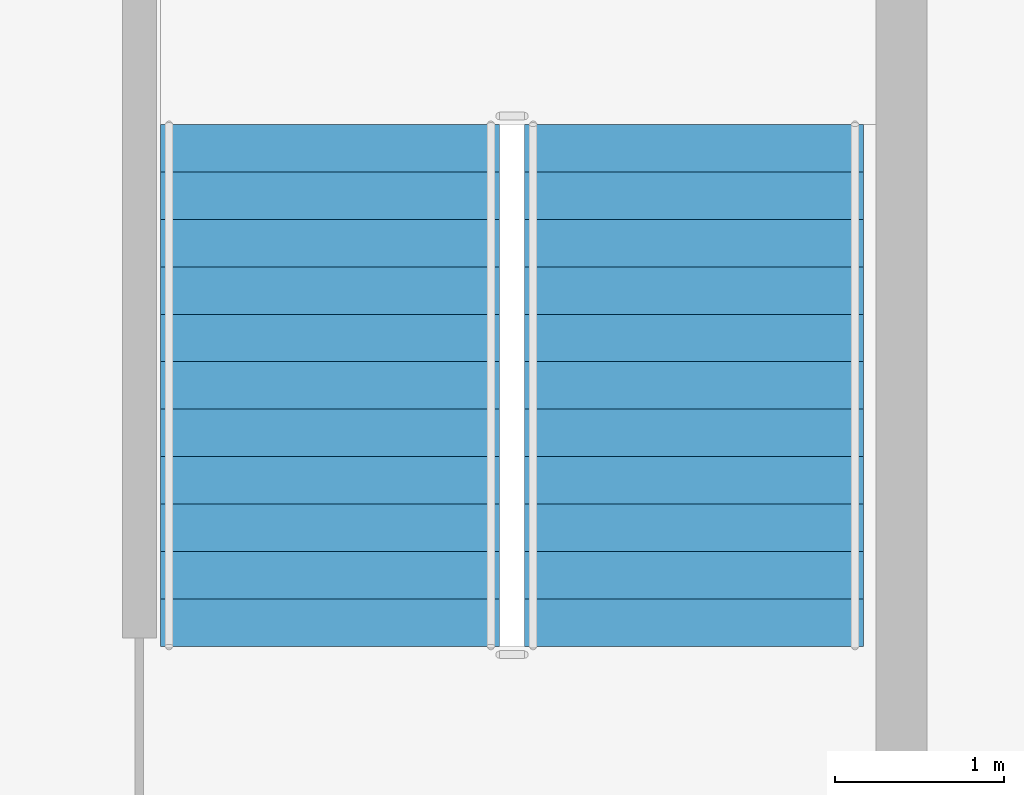
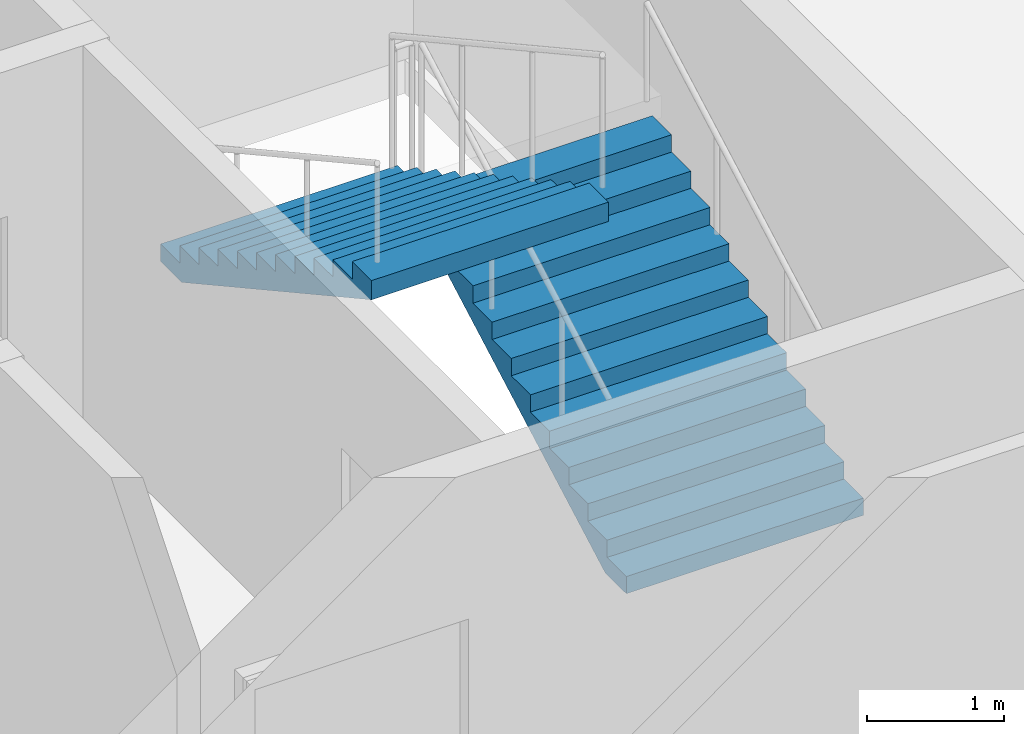
# One storey, part 8 of 15: 2 stair flights, 1 element without a shape of its own.
"""IFC4 building model written with IfcOpenShell, lengths in metres."""

from ifc_helpers import new_model, si_unit, direction, frame, origin, place, context, subcontext, project, spatial, polygons, material, type_object, element, aggregate, save


model = new_model("IFC4")

# Units and contexts
model_context = context("Model", 3, precision=1e-05, world=origin(), true_north=direction((0.0, 1.0)))
body_context = subcontext(model_context, "Body", "Model", "MODEL_VIEW")
ifc_project = project(units=[si_unit("LENGTHUNIT", "METRE"), si_unit("AREAUNIT", "SQUARE_METRE"), si_unit("VOLUMEUNIT", "CUBIC_METRE"), si_unit("PLANEANGLEUNIT", "RADIAN"), si_unit("MASSUNIT", "GRAM", prefix="KILO")], contexts=[model_context])

# Site, building, storey
site_placement = place(None, origin())
site = spatial("IfcSite", under=ifc_project, at=site_placement, CompositionType="ELEMENT")
building_placement = place(site_placement, origin())
building = spatial("IfcBuilding", under=site, at=building_placement, Name="Caravel Reach Hotel and Residences", CompositionType="ELEMENT")
storey_placement = place(building_placement, frame((0.0, 0.0, 237.89990234375)))
storey = spatial("IfcBuildingStorey", under=building, at=storey_placement, Name="L60", CompositionType="ELEMENT", Elevation=237.89990234375)

# Stair, stair flights
ifc_material_1 = material(Name="Concrete C40", Category="concrete")
stair_type = type_object("IfcStairType", Name="Core stair", PredefinedType="HALF_TURN_STAIR", material=ifc_material_1)
stair_placement = place(storey_placement, origin())
stair = element("IfcStair", 1, at=stair_placement, inside=storey, type_object=stair_type, Name="L60 Exit stair B", PredefinedType="HALF_TURN_STAIR")
ifc_material_2 = material(Name="Concrete C40", Category="concrete")
stair_flight_type = type_object("IfcStairFlightType", Name="Core stair flight", PredefinedType="STRAIGHT", material=ifc_material_2)
stair_flight_1_placement = place(storey_placement, frame((43.77490234375, 24.64990234375, 0.0), z_axis=(0.0, 0.0, 1.0), x_axis=(0.0, 1.0, 0.0)))
stair_flight_1 = element("IfcStairFlight", 2, at=stair_flight_1_placement, type_object=stair_flight_type, Name="ST-B flight 1", NumberOfRisers=12, NumberOfTreads=11, PredefinedType="STRAIGHT", RiserHeight=0.154166667, TreadLength=0.28, context=body_context, shape_type="Tessellation", body=[
    polygons([(0.3107950034306102, 1.0, 0.0), (0.3107950034306102, 0.6666666666666667, 0.0), (0.3107950034306102, 0.33333333333333337, 0.0), (0.3107950034306102, 0.0, 0.0), (0.3107950034306102, -0.33333333333333326, 0.0), (0.3107950034306102, -0.6666666666666667, 0.0), (0.3107950034306102, -1.0, 0.0), (3.081, 1.0, 1.524711087717319), (3.081, 0.6666666666666667, 1.524711087717319), (3.081, 0.33333333333333337, 1.524711087717319), (3.081, 0.0, 1.524711087717319), (3.081, -0.33333333333333326, 1.524711087717319), (3.081, -0.6666666666666667, 1.524711087717319), (3.081, -1.0, 1.524711087717319), (3.081, 1.0, 1.695833337), (3.081, 0.6666666666666667, 1.695833337), (3.081, 0.33333333333333337, 1.695833337), (3.081, 0.0, 1.695833337), (3.081, -0.33333333333333326, 1.695833337), (3.081, -0.6666666666666667, 1.695833337), (3.081, -1.0, 1.695833337), (2.8000000000000003, 1.0, 1.695833337), (2.8000000000000003, 0.6666666666666667, 1.695833337), (2.8000000000000003, 0.33333333333333337, 1.695833337), (2.8000000000000003, 0.0, 1.695833337), (2.8000000000000003, -0.33333333333333326, 1.695833337), (2.8000000000000003, -0.6666666666666667, 1.695833337), (2.8000000000000003, -1.0, 1.695833337), (2.8000000000000003, 1.0, 1.5416666700000001), (2.8000000000000003, 0.6666666666666667, 1.5416666700000001), (2.8000000000000003, 0.33333333333333337, 1.5416666700000001), (2.8000000000000003, 0.0, 1.5416666700000001), (2.8000000000000003, -0.33333333333333326, 1.5416666700000001), (2.8000000000000003, -0.6666666666666667, 1.5416666700000001), (2.8000000000000003, -1.0, 1.5416666700000001), (2.5200000000000005, 1.0, 1.5416666700000001), (2.5200000000000005, 0.6666666666666667, 1.5416666700000001), (2.5200000000000005, 0.33333333333333337, 1.5416666700000001), (2.5200000000000005, 0.0, 1.5416666700000001), (2.5200000000000005, -0.33333333333333326, 1.5416666700000001), (2.5200000000000005, -0.6666666666666667, 1.5416666700000001), (2.5200000000000005, -1.0, 1.5416666700000001), (2.5200000000000005, 1.0, 1.387500003), (2.5200000000000005, 0.6666666666666667, 1.387500003), (2.5200000000000005, 0.33333333333333337, 1.387500003), (2.5200000000000005, 0.0, 1.387500003), (2.5200000000000005, -0.33333333333333326, 1.387500003), (2.5200000000000005, -0.6666666666666667, 1.387500003), (2.5200000000000005, -1.0, 1.387500003), (2.24, 1.0, 1.387500003), (2.24, 0.6666666666666667, 1.387500003), (2.24, 0.33333333333333337, 1.387500003), (2.24, 0.0, 1.387500003), (2.24, -0.33333333333333326, 1.387500003), (2.24, -0.6666666666666667, 1.387500003), (2.24, -1.0, 1.387500003), (2.24, 1.0, 1.233333336), (2.24, 0.6666666666666667, 1.233333336), (2.24, 0.33333333333333337, 1.233333336), (2.24, 0.0, 1.233333336), (2.24, -0.33333333333333326, 1.233333336), (2.24, -0.6666666666666667, 1.233333336), (2.24, -1.0, 1.233333336), (1.9600000000000002, 1.0, 1.233333336), (1.9600000000000002, 0.6666666666666667, 1.233333336), (1.9600000000000002, 0.33333333333333337, 1.233333336), (1.9600000000000002, 0.0, 1.233333336), (1.9600000000000002, -0.33333333333333326, 1.233333336), (1.9600000000000002, -0.6666666666666667, 1.233333336), (1.9600000000000002, -1.0, 1.233333336), (1.9600000000000002, 1.0, 1.0791666690000001), (1.9600000000000002, 0.6666666666666667, 1.0791666690000001), (1.9600000000000002, 0.33333333333333337, 1.0791666690000001), (1.9600000000000002, 0.0, 1.0791666690000001), (1.9600000000000002, -0.33333333333333326, 1.0791666690000001), (1.9600000000000002, -0.6666666666666667, 1.0791666690000001), (1.9600000000000002, -1.0, 1.0791666690000001), (1.6800000000000002, 1.0, 1.0791666690000001), (1.6800000000000002, 0.6666666666666667, 1.0791666690000001), (1.6800000000000002, 0.33333333333333337, 1.0791666690000001), (1.6800000000000002, 0.0, 1.0791666690000001), (1.6800000000000002, -0.33333333333333326, 1.0791666690000001), (1.6800000000000002, -0.6666666666666667, 1.0791666690000001), (1.6800000000000002, -1.0, 1.0791666690000001), (1.6800000000000002, 1.0, 0.925000002), (1.6800000000000002, 0.6666666666666667, 0.925000002), (1.6800000000000002, 0.33333333333333337, 0.925000002), (1.6800000000000002, 0.0, 0.925000002), (1.6800000000000002, -0.33333333333333326, 0.925000002), (1.6800000000000002, -0.6666666666666667, 0.925000002), (1.6800000000000002, -1.0, 0.925000002), (1.4000000000000001, 1.0, 0.925000002), (1.4000000000000001, 0.6666666666666667, 0.925000002), (1.4000000000000001, 0.33333333333333337, 0.925000002), (1.4000000000000001, 0.0, 0.925000002), (1.4000000000000001, -0.33333333333333326, 0.925000002), (1.4000000000000001, -0.6666666666666667, 0.925000002), (1.4000000000000001, -1.0, 0.925000002), (1.4000000000000001, 1.0, 0.7708333350000001), (1.4000000000000001, 0.6666666666666667, 0.7708333350000001), (1.4000000000000001, 0.33333333333333337, 0.7708333350000001), (1.4000000000000001, 0.0, 0.7708333350000001), (1.4000000000000001, -0.33333333333333326, 0.7708333350000001), (1.4000000000000001, -0.6666666666666667, 0.7708333350000001), (1.4000000000000001, -1.0, 0.7708333350000001), (1.12, 1.0, 0.7708333350000001), (1.12, 0.6666666666666667, 0.7708333350000001), (1.12, 0.33333333333333337, 0.7708333350000001), (1.12, 0.0, 0.7708333350000001), (1.12, -0.33333333333333326, 0.7708333350000001), (1.12, -0.6666666666666667, 0.7708333350000001), (1.12, -1.0, 0.7708333350000001), (1.12, 1.0, 0.616666668), (1.12, 0.6666666666666667, 0.616666668), (1.12, 0.33333333333333337, 0.616666668), (1.12, 0.0, 0.616666668), (1.12, -0.33333333333333326, 0.616666668), (1.12, -0.6666666666666667, 0.616666668), (1.12, -1.0, 0.616666668), (0.8400000000000001, 1.0, 0.616666668), (0.8400000000000001, 0.6666666666666667, 0.616666668), (0.8400000000000001, 0.33333333333333337, 0.616666668), (0.8400000000000001, 0.0, 0.616666668), (0.8400000000000001, -0.33333333333333326, 0.616666668), (0.8400000000000001, -0.6666666666666667, 0.616666668), (0.8400000000000001, -1.0, 0.616666668), (0.8400000000000001, 1.0, 0.462500001), (0.8400000000000001, 0.6666666666666667, 0.462500001), (0.8400000000000001, 0.33333333333333337, 0.462500001), (0.8400000000000001, 0.0, 0.462500001), (0.8400000000000001, -0.33333333333333326, 0.462500001), (0.8400000000000001, -0.6666666666666667, 0.462500001), (0.8400000000000001, -1.0, 0.462500001), (0.56, 1.0, 0.462500001), (0.56, 0.6666666666666667, 0.462500001), (0.56, 0.33333333333333337, 0.462500001), (0.56, 0.0, 0.462500001), (0.56, -0.33333333333333326, 0.462500001), (0.56, -0.6666666666666667, 0.462500001), (0.56, -1.0, 0.462500001), (0.56, 1.0, 0.308333334), (0.56, 0.6666666666666667, 0.308333334), (0.56, 0.33333333333333337, 0.308333334), (0.56, 0.0, 0.308333334), (0.56, -0.33333333333333326, 0.308333334), (0.56, -0.6666666666666667, 0.308333334), (0.56, -1.0, 0.308333334), (0.28, 1.0, 0.308333334), (0.28, 0.6666666666666667, 0.308333334), (0.28, 0.33333333333333337, 0.308333334), (0.28, 0.0, 0.308333334), (0.28, -0.33333333333333326, 0.308333334), (0.28, -0.6666666666666667, 0.308333334), (0.28, -1.0, 0.308333334), (0.28, 1.0, 0.154166667), (0.28, 0.6666666666666667, 0.154166667), (0.28, 0.33333333333333337, 0.154166667), (0.28, 0.0, 0.154166667), (0.28, -0.33333333333333326, 0.154166667), (0.28, -0.6666666666666667, 0.154166667), (0.28, -1.0, 0.154166667), (-0.001, 1.0, 0.154166667), (-0.001, 0.6666666666666667, 0.154166667), (-0.001, 0.33333333333333337, 0.154166667), (-0.001, 0.0, 0.154166667), (-0.001, -0.33333333333333326, 0.154166667), (-0.001, -0.6666666666666667, 0.154166667), (-0.001, -1.0, 0.154166667), (-0.001, 1.0, 0.0), (-0.001, 0.6666666666666667, 0.0), (-0.001, 0.33333333333333337, 0.0), (-0.001, 0.0, 0.0), (-0.001, -0.33333333333333326, 0.0), (-0.001, -0.6666666666666667, 0.0), (-0.001, -1.0, 0.0)], [[[169, 162, 155, 148, 141, 134, 127, 120, 113, 106, 99, 92, 85, 78, 71, 64, 57, 50, 43, 36, 29, 22, 15, 8, 1]], [[7, 14, 21, 28, 35, 42, 49, 56, 63, 70, 77, 84, 91, 98, 105, 112, 119, 126, 133, 140, 147, 154, 161, 168, 175]], [[1, 8, 9, 2]], [[2, 9, 10, 3]], [[3, 10, 11, 4]], [[4, 11, 12, 5]], [[5, 12, 13, 6]], [[6, 13, 14, 7]], [[8, 15, 16, 9]], [[9, 16, 17, 10]], [[10, 17, 18, 11]], [[11, 18, 19, 12]], [[12, 19, 20, 13]], [[13, 20, 21, 14]], [[15, 22, 23, 16]], [[16, 23, 24, 17]], [[17, 24, 25, 18]], [[18, 25, 26, 19]], [[19, 26, 27, 20]], [[20, 27, 28, 21]], [[22, 29, 30, 23]], [[23, 30, 31, 24]], [[24, 31, 32, 25]], [[25, 32, 33, 26]], [[26, 33, 34, 27]], [[27, 34, 35, 28]], [[29, 36, 37, 30]], [[30, 37, 38, 31]], [[31, 38, 39, 32]], [[32, 39, 40, 33]], [[33, 40, 41, 34]], [[34, 41, 42, 35]], [[36, 43, 44, 37]], [[37, 44, 45, 38]], [[38, 45, 46, 39]], [[39, 46, 47, 40]], [[40, 47, 48, 41]], [[41, 48, 49, 42]], [[43, 50, 51, 44]], [[44, 51, 52, 45]], [[45, 52, 53, 46]], [[46, 53, 54, 47]], [[47, 54, 55, 48]], [[48, 55, 56, 49]], [[50, 57, 58, 51]], [[51, 58, 59, 52]], [[52, 59, 60, 53]], [[53, 60, 61, 54]], [[54, 61, 62, 55]], [[55, 62, 63, 56]], [[57, 64, 65, 58]], [[58, 65, 66, 59]], [[59, 66, 67, 60]], [[60, 67, 68, 61]], [[61, 68, 69, 62]], [[62, 69, 70, 63]], [[64, 71, 72, 65]], [[65, 72, 73, 66]], [[66, 73, 74, 67]], [[67, 74, 75, 68]], [[68, 75, 76, 69]], [[69, 76, 77, 70]], [[71, 78, 79, 72]], [[72, 79, 80, 73]], [[73, 80, 81, 74]], [[74, 81, 82, 75]], [[75, 82, 83, 76]], [[76, 83, 84, 77]], [[78, 85, 86, 79]], [[79, 86, 87, 80]], [[80, 87, 88, 81]], [[81, 88, 89, 82]], [[82, 89, 90, 83]], [[83, 90, 91, 84]], [[85, 92, 93, 86]], [[86, 93, 94, 87]], [[87, 94, 95, 88]], [[88, 95, 96, 89]], [[89, 96, 97, 90]], [[90, 97, 98, 91]], [[92, 99, 100, 93]], [[93, 100, 101, 94]], [[94, 101, 102, 95]], [[95, 102, 103, 96]], [[96, 103, 104, 97]], [[97, 104, 105, 98]], [[99, 106, 107, 100]], [[100, 107, 108, 101]], [[101, 108, 109, 102]], [[102, 109, 110, 103]], [[103, 110, 111, 104]], [[104, 111, 112, 105]], [[106, 113, 114, 107]], [[107, 114, 115, 108]], [[108, 115, 116, 109]], [[109, 116, 117, 110]], [[110, 117, 118, 111]], [[111, 118, 119, 112]], [[113, 120, 121, 114]], [[114, 121, 122, 115]], [[115, 122, 123, 116]], [[116, 123, 124, 117]], [[117, 124, 125, 118]], [[118, 125, 126, 119]], [[120, 127, 128, 121]], [[121, 128, 129, 122]], [[122, 129, 130, 123]], [[123, 130, 131, 124]], [[124, 131, 132, 125]], [[125, 132, 133, 126]], [[127, 134, 135, 128]], [[128, 135, 136, 129]], [[129, 136, 137, 130]], [[130, 137, 138, 131]], [[131, 138, 139, 132]], [[132, 139, 140, 133]], [[134, 141, 142, 135]], [[135, 142, 143, 136]], [[136, 143, 144, 137]], [[137, 144, 145, 138]], [[138, 145, 146, 139]], [[139, 146, 147, 140]], [[141, 148, 149, 142]], [[142, 149, 150, 143]], [[143, 150, 151, 144]], [[144, 151, 152, 145]], [[145, 152, 153, 146]], [[146, 153, 154, 147]], [[148, 155, 156, 149]], [[149, 156, 157, 150]], [[150, 157, 158, 151]], [[151, 158, 159, 152]], [[152, 159, 160, 153]], [[153, 160, 161, 154]], [[155, 162, 163, 156]], [[156, 163, 164, 157]], [[157, 164, 165, 158]], [[158, 165, 166, 159]], [[159, 166, 167, 160]], [[160, 167, 168, 161]], [[162, 169, 170, 163]], [[163, 170, 171, 164]], [[164, 171, 172, 165]], [[165, 172, 173, 166]], [[166, 173, 174, 167]], [[167, 174, 175, 168]], [[169, 1, 2, 170]], [[170, 2, 3, 171]], [[171, 3, 4, 172]], [[172, 4, 5, 173]], [[173, 5, 6, 174]], [[174, 6, 7, 175]]], closed=True),
])
stair_flight_2_placement = place(storey_placement, frame((41.625, 27.72998046875, 1.85009765625), z_axis=(0.0, 0.0, 1.0), x_axis=(0.0, -1.0, 0.0)))
stair_flight_2 = element("IfcStairFlight", 3, at=stair_flight_2_placement, type_object=stair_flight_type, Name="ST-B flight 2", NumberOfRisers=12, NumberOfTreads=11, PredefinedType="STRAIGHT", RiserHeight=0.154166667, TreadLength=0.28, context=body_context, shape_type="Tessellation", body=[
    polygons([(0.3107950034306102, 1.0, 0.0), (0.3107950034306102, 0.6666666666666667, 0.0), (0.3107950034306102, 0.33333333333333337, 0.0), (0.3107950034306102, 0.0, 0.0), (0.3107950034306102, -0.33333333333333326, 0.0), (0.3107950034306102, -0.6666666666666667, 0.0), (0.3107950034306102, -1.0, 0.0), (3.081, 1.0, 1.524711087717319), (3.081, 0.6666666666666667, 1.524711087717319), (3.081, 0.33333333333333337, 1.524711087717319), (3.081, 0.0, 1.524711087717319), (3.081, -0.33333333333333326, 1.524711087717319), (3.081, -0.6666666666666667, 1.524711087717319), (3.081, -1.0, 1.524711087717319), (3.081, 1.0, 1.695833337), (3.081, 0.6666666666666667, 1.695833337), (3.081, 0.33333333333333337, 1.695833337), (3.081, 0.0, 1.695833337), (3.081, -0.33333333333333326, 1.695833337), (3.081, -0.6666666666666667, 1.695833337), (3.081, -1.0, 1.695833337), (2.8000000000000003, 1.0, 1.695833337), (2.8000000000000003, 0.6666666666666667, 1.695833337), (2.8000000000000003, 0.33333333333333337, 1.695833337), (2.8000000000000003, 0.0, 1.695833337), (2.8000000000000003, -0.33333333333333326, 1.695833337), (2.8000000000000003, -0.6666666666666667, 1.695833337), (2.8000000000000003, -1.0, 1.695833337), (2.8000000000000003, 1.0, 1.5416666700000001), (2.8000000000000003, 0.6666666666666667, 1.5416666700000001), (2.8000000000000003, 0.33333333333333337, 1.5416666700000001), (2.8000000000000003, 0.0, 1.5416666700000001), (2.8000000000000003, -0.33333333333333326, 1.5416666700000001), (2.8000000000000003, -0.6666666666666667, 1.5416666700000001), (2.8000000000000003, -1.0, 1.5416666700000001), (2.5200000000000005, 1.0, 1.5416666700000001), (2.5200000000000005, 0.6666666666666667, 1.5416666700000001), (2.5200000000000005, 0.33333333333333337, 1.5416666700000001), (2.5200000000000005, 0.0, 1.5416666700000001), (2.5200000000000005, -0.33333333333333326, 1.5416666700000001), (2.5200000000000005, -0.6666666666666667, 1.5416666700000001), (2.5200000000000005, -1.0, 1.5416666700000001), (2.5200000000000005, 1.0, 1.387500003), (2.5200000000000005, 0.6666666666666667, 1.387500003), (2.5200000000000005, 0.33333333333333337, 1.387500003), (2.5200000000000005, 0.0, 1.387500003), (2.5200000000000005, -0.33333333333333326, 1.387500003), (2.5200000000000005, -0.6666666666666667, 1.387500003), (2.5200000000000005, -1.0, 1.387500003), (2.24, 1.0, 1.387500003), (2.24, 0.6666666666666667, 1.387500003), (2.24, 0.33333333333333337, 1.387500003), (2.24, 0.0, 1.387500003), (2.24, -0.33333333333333326, 1.387500003), (2.24, -0.6666666666666667, 1.387500003), (2.24, -1.0, 1.387500003), (2.24, 1.0, 1.233333336), (2.24, 0.6666666666666667, 1.233333336), (2.24, 0.33333333333333337, 1.233333336), (2.24, 0.0, 1.233333336), (2.24, -0.33333333333333326, 1.233333336), (2.24, -0.6666666666666667, 1.233333336), (2.24, -1.0, 1.233333336), (1.9600000000000002, 1.0, 1.233333336), (1.9600000000000002, 0.6666666666666667, 1.233333336), (1.9600000000000002, 0.33333333333333337, 1.233333336), (1.9600000000000002, 0.0, 1.233333336), (1.9600000000000002, -0.33333333333333326, 1.233333336), (1.9600000000000002, -0.6666666666666667, 1.233333336), (1.9600000000000002, -1.0, 1.233333336), (1.9600000000000002, 1.0, 1.0791666690000001), (1.9600000000000002, 0.6666666666666667, 1.0791666690000001), (1.9600000000000002, 0.33333333333333337, 1.0791666690000001), (1.9600000000000002, 0.0, 1.0791666690000001), (1.9600000000000002, -0.33333333333333326, 1.0791666690000001), (1.9600000000000002, -0.6666666666666667, 1.0791666690000001), (1.9600000000000002, -1.0, 1.0791666690000001), (1.6800000000000002, 1.0, 1.0791666690000001), (1.6800000000000002, 0.6666666666666667, 1.0791666690000001), (1.6800000000000002, 0.33333333333333337, 1.0791666690000001), (1.6800000000000002, 0.0, 1.0791666690000001), (1.6800000000000002, -0.33333333333333326, 1.0791666690000001), (1.6800000000000002, -0.6666666666666667, 1.0791666690000001), (1.6800000000000002, -1.0, 1.0791666690000001), (1.6800000000000002, 1.0, 0.925000002), (1.6800000000000002, 0.6666666666666667, 0.925000002), (1.6800000000000002, 0.33333333333333337, 0.925000002), (1.6800000000000002, 0.0, 0.925000002), (1.6800000000000002, -0.33333333333333326, 0.925000002), (1.6800000000000002, -0.6666666666666667, 0.925000002), (1.6800000000000002, -1.0, 0.925000002), (1.4000000000000001, 1.0, 0.925000002), (1.4000000000000001, 0.6666666666666667, 0.925000002), (1.4000000000000001, 0.33333333333333337, 0.925000002), (1.4000000000000001, 0.0, 0.925000002), (1.4000000000000001, -0.33333333333333326, 0.925000002), (1.4000000000000001, -0.6666666666666667, 0.925000002), (1.4000000000000001, -1.0, 0.925000002), (1.4000000000000001, 1.0, 0.7708333350000001), (1.4000000000000001, 0.6666666666666667, 0.7708333350000001), (1.4000000000000001, 0.33333333333333337, 0.7708333350000001), (1.4000000000000001, 0.0, 0.7708333350000001), (1.4000000000000001, -0.33333333333333326, 0.7708333350000001), (1.4000000000000001, -0.6666666666666667, 0.7708333350000001), (1.4000000000000001, -1.0, 0.7708333350000001), (1.12, 1.0, 0.7708333350000001), (1.12, 0.6666666666666667, 0.7708333350000001), (1.12, 0.33333333333333337, 0.7708333350000001), (1.12, 0.0, 0.7708333350000001), (1.12, -0.33333333333333326, 0.7708333350000001), (1.12, -0.6666666666666667, 0.7708333350000001), (1.12, -1.0, 0.7708333350000001), (1.12, 1.0, 0.616666668), (1.12, 0.6666666666666667, 0.616666668), (1.12, 0.33333333333333337, 0.616666668), (1.12, 0.0, 0.616666668), (1.12, -0.33333333333333326, 0.616666668), (1.12, -0.6666666666666667, 0.616666668), (1.12, -1.0, 0.616666668), (0.8400000000000001, 1.0, 0.616666668), (0.8400000000000001, 0.6666666666666667, 0.616666668), (0.8400000000000001, 0.33333333333333337, 0.616666668), (0.8400000000000001, 0.0, 0.616666668), (0.8400000000000001, -0.33333333333333326, 0.616666668), (0.8400000000000001, -0.6666666666666667, 0.616666668), (0.8400000000000001, -1.0, 0.616666668), (0.8400000000000001, 1.0, 0.462500001), (0.8400000000000001, 0.6666666666666667, 0.462500001), (0.8400000000000001, 0.33333333333333337, 0.462500001), (0.8400000000000001, 0.0, 0.462500001), (0.8400000000000001, -0.33333333333333326, 0.462500001), (0.8400000000000001, -0.6666666666666667, 0.462500001), (0.8400000000000001, -1.0, 0.462500001), (0.56, 1.0, 0.462500001), (0.56, 0.6666666666666667, 0.462500001), (0.56, 0.33333333333333337, 0.462500001), (0.56, 0.0, 0.462500001), (0.56, -0.33333333333333326, 0.462500001), (0.56, -0.6666666666666667, 0.462500001), (0.56, -1.0, 0.462500001), (0.56, 1.0, 0.308333334), (0.56, 0.6666666666666667, 0.308333334), (0.56, 0.33333333333333337, 0.308333334), (0.56, 0.0, 0.308333334), (0.56, -0.33333333333333326, 0.308333334), (0.56, -0.6666666666666667, 0.308333334), (0.56, -1.0, 0.308333334), (0.28, 1.0, 0.308333334), (0.28, 0.6666666666666667, 0.308333334), (0.28, 0.33333333333333337, 0.308333334), (0.28, 0.0, 0.308333334), (0.28, -0.33333333333333326, 0.308333334), (0.28, -0.6666666666666667, 0.308333334), (0.28, -1.0, 0.308333334), (0.28, 1.0, 0.154166667), (0.28, 0.6666666666666667, 0.154166667), (0.28, 0.33333333333333337, 0.154166667), (0.28, 0.0, 0.154166667), (0.28, -0.33333333333333326, 0.154166667), (0.28, -0.6666666666666667, 0.154166667), (0.28, -1.0, 0.154166667), (-0.001, 1.0, 0.154166667), (-0.001, 0.6666666666666667, 0.154166667), (-0.001, 0.33333333333333337, 0.154166667), (-0.001, 0.0, 0.154166667), (-0.001, -0.33333333333333326, 0.154166667), (-0.001, -0.6666666666666667, 0.154166667), (-0.001, -1.0, 0.154166667), (-0.001, 1.0, 0.0), (-0.001, 0.6666666666666667, 0.0), (-0.001, 0.33333333333333337, 0.0), (-0.001, 0.0, 0.0), (-0.001, -0.33333333333333326, 0.0), (-0.001, -0.6666666666666667, 0.0), (-0.001, -1.0, 0.0)], [[[169, 162, 155, 148, 141, 134, 127, 120, 113, 106, 99, 92, 85, 78, 71, 64, 57, 50, 43, 36, 29, 22, 15, 8, 1]], [[7, 14, 21, 28, 35, 42, 49, 56, 63, 70, 77, 84, 91, 98, 105, 112, 119, 126, 133, 140, 147, 154, 161, 168, 175]], [[1, 8, 9, 2]], [[2, 9, 10, 3]], [[3, 10, 11, 4]], [[4, 11, 12, 5]], [[5, 12, 13, 6]], [[6, 13, 14, 7]], [[8, 15, 16, 9]], [[9, 16, 17, 10]], [[10, 17, 18, 11]], [[11, 18, 19, 12]], [[12, 19, 20, 13]], [[13, 20, 21, 14]], [[15, 22, 23, 16]], [[16, 23, 24, 17]], [[17, 24, 25, 18]], [[18, 25, 26, 19]], [[19, 26, 27, 20]], [[20, 27, 28, 21]], [[22, 29, 30, 23]], [[23, 30, 31, 24]], [[24, 31, 32, 25]], [[25, 32, 33, 26]], [[26, 33, 34, 27]], [[27, 34, 35, 28]], [[29, 36, 37, 30]], [[30, 37, 38, 31]], [[31, 38, 39, 32]], [[32, 39, 40, 33]], [[33, 40, 41, 34]], [[34, 41, 42, 35]], [[36, 43, 44, 37]], [[37, 44, 45, 38]], [[38, 45, 46, 39]], [[39, 46, 47, 40]], [[40, 47, 48, 41]], [[41, 48, 49, 42]], [[43, 50, 51, 44]], [[44, 51, 52, 45]], [[45, 52, 53, 46]], [[46, 53, 54, 47]], [[47, 54, 55, 48]], [[48, 55, 56, 49]], [[50, 57, 58, 51]], [[51, 58, 59, 52]], [[52, 59, 60, 53]], [[53, 60, 61, 54]], [[54, 61, 62, 55]], [[55, 62, 63, 56]], [[57, 64, 65, 58]], [[58, 65, 66, 59]], [[59, 66, 67, 60]], [[60, 67, 68, 61]], [[61, 68, 69, 62]], [[62, 69, 70, 63]], [[64, 71, 72, 65]], [[65, 72, 73, 66]], [[66, 73, 74, 67]], [[67, 74, 75, 68]], [[68, 75, 76, 69]], [[69, 76, 77, 70]], [[71, 78, 79, 72]], [[72, 79, 80, 73]], [[73, 80, 81, 74]], [[74, 81, 82, 75]], [[75, 82, 83, 76]], [[76, 83, 84, 77]], [[78, 85, 86, 79]], [[79, 86, 87, 80]], [[80, 87, 88, 81]], [[81, 88, 89, 82]], [[82, 89, 90, 83]], [[83, 90, 91, 84]], [[85, 92, 93, 86]], [[86, 93, 94, 87]], [[87, 94, 95, 88]], [[88, 95, 96, 89]], [[89, 96, 97, 90]], [[90, 97, 98, 91]], [[92, 99, 100, 93]], [[93, 100, 101, 94]], [[94, 101, 102, 95]], [[95, 102, 103, 96]], [[96, 103, 104, 97]], [[97, 104, 105, 98]], [[99, 106, 107, 100]], [[100, 107, 108, 101]], [[101, 108, 109, 102]], [[102, 109, 110, 103]], [[103, 110, 111, 104]], [[104, 111, 112, 105]], [[106, 113, 114, 107]], [[107, 114, 115, 108]], [[108, 115, 116, 109]], [[109, 116, 117, 110]], [[110, 117, 118, 111]], [[111, 118, 119, 112]], [[113, 120, 121, 114]], [[114, 121, 122, 115]], [[115, 122, 123, 116]], [[116, 123, 124, 117]], [[117, 124, 125, 118]], [[118, 125, 126, 119]], [[120, 127, 128, 121]], [[121, 128, 129, 122]], [[122, 129, 130, 123]], [[123, 130, 131, 124]], [[124, 131, 132, 125]], [[125, 132, 133, 126]], [[127, 134, 135, 128]], [[128, 135, 136, 129]], [[129, 136, 137, 130]], [[130, 137, 138, 131]], [[131, 138, 139, 132]], [[132, 139, 140, 133]], [[134, 141, 142, 135]], [[135, 142, 143, 136]], [[136, 143, 144, 137]], [[137, 144, 145, 138]], [[138, 145, 146, 139]], [[139, 146, 147, 140]], [[141, 148, 149, 142]], [[142, 149, 150, 143]], [[143, 150, 151, 144]], [[144, 151, 152, 145]], [[145, 152, 153, 146]], [[146, 153, 154, 147]], [[148, 155, 156, 149]], [[149, 156, 157, 150]], [[150, 157, 158, 151]], [[151, 158, 159, 152]], [[152, 159, 160, 153]], [[153, 160, 161, 154]], [[155, 162, 163, 156]], [[156, 163, 164, 157]], [[157, 164, 165, 158]], [[158, 165, 166, 159]], [[159, 166, 167, 160]], [[160, 167, 168, 161]], [[162, 169, 170, 163]], [[163, 170, 171, 164]], [[164, 171, 172, 165]], [[165, 172, 173, 166]], [[166, 173, 174, 167]], [[167, 174, 175, 168]], [[169, 1, 2, 170]], [[170, 2, 3, 171]], [[171, 3, 4, 172]], [[172, 4, 5, 173]], [[173, 5, 6, 174]], [[174, 6, 7, 175]]], closed=True),
])
aggregate(stair, [stair_flight_1, stair_flight_2])

save(model, "model.ifc")
